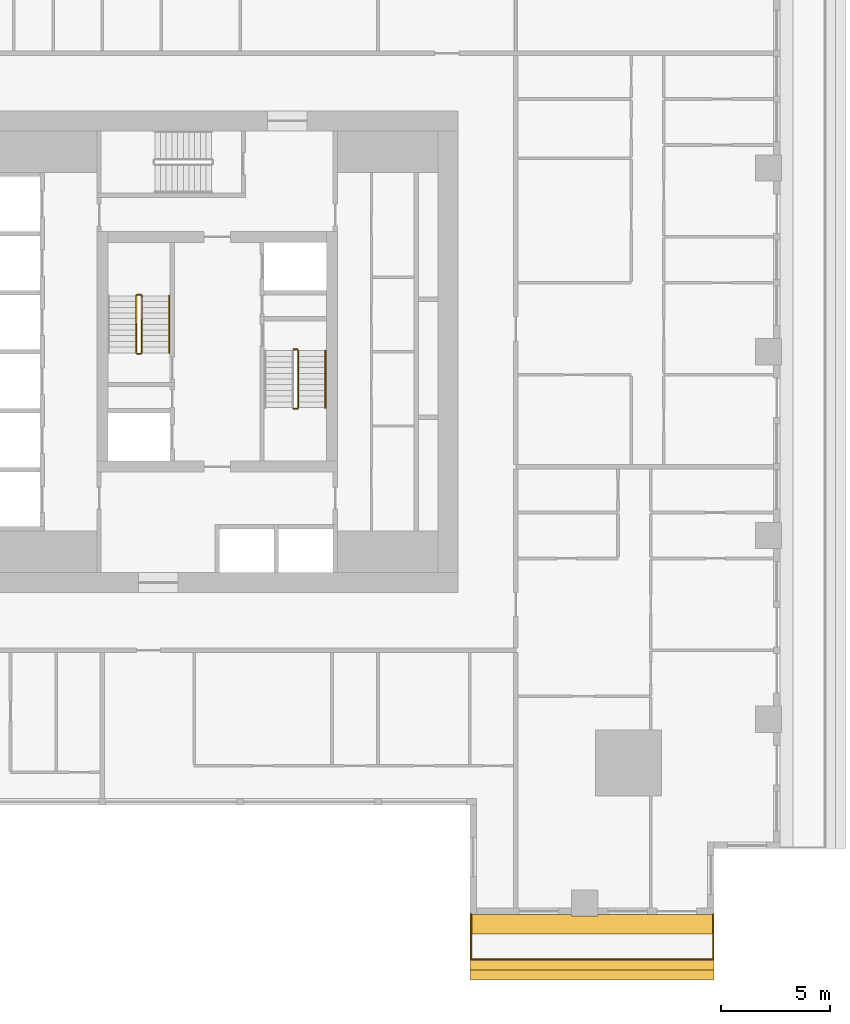
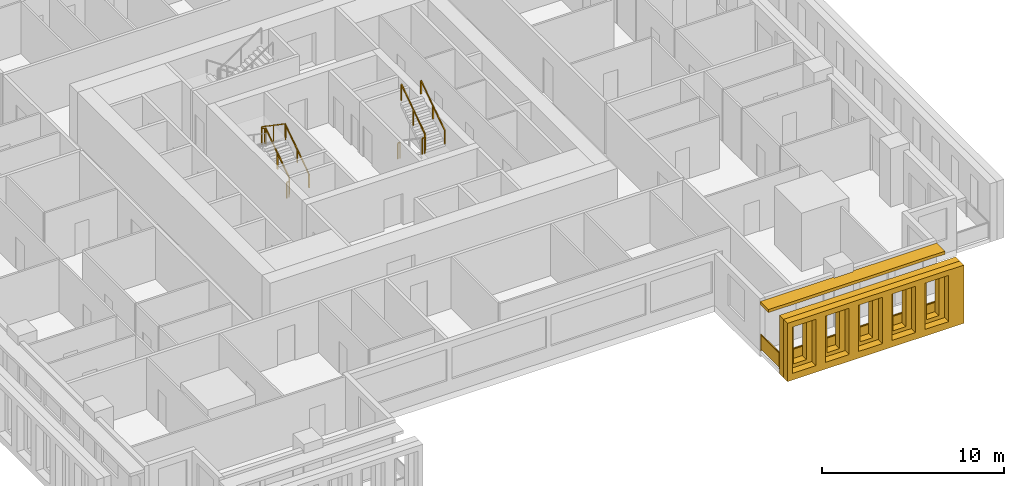
# One storey, part 11 of 14: 10 railings, 3 shading devices.
"""IFC4 building model written with IfcOpenShell, lengths in metres."""

from ifc_helpers import new_model, si_unit, direction, frame, origin, origin_2d, place, context, subcontext, project, spatial, polyline, rectangle, outline, extrude, material, layer, layer_set, type_object, element, save


model = new_model("IFC4")

# Units and contexts
model_context = context("Model", 3, precision=1e-05, world=origin(), true_north=direction((0.0, 1.0)))
body_context = subcontext(model_context, "Body", "Model", "MODEL_VIEW")
ifc_project = project(units=[si_unit("LENGTHUNIT", "METRE"), si_unit("AREAUNIT", "SQUARE_METRE"), si_unit("VOLUMEUNIT", "CUBIC_METRE"), si_unit("PLANEANGLEUNIT", "RADIAN"), si_unit("MASSUNIT", "GRAM", prefix="KILO")], contexts=[model_context])

# Site, building, storey
site_placement = place(None, origin())
site = spatial("IfcSite", under=ifc_project, at=site_placement, CompositionType="ELEMENT")
building_placement = place(site_placement, origin())
building = spatial("IfcBuilding", under=site, at=building_placement, Name="Khepri Terraces", CompositionType="ELEMENT")
storey_placement = place(building_placement, frame((0.0, 0.0, 62.10009765625)))
storey = spatial("IfcBuildingStorey", under=building, at=storey_placement, Name="L14", CompositionType="ELEMENT", Elevation=62.10009765625)

# Railings
ifc_material_1 = material(Name="Stainless steel grade 316", Category="steel")
railing_type_1 = type_object("IfcRailingType", Name="GRD-BAL-1100", PredefinedType="GUARDRAIL", material=ifc_material_1)
railing_1_placement = place(storey_placement, frame((11.60009765625, -25.719970703125, 0.0)))
element("IfcRailing", 1, at=railing_1_placement, inside=storey, type_object=railing_type_1, Name="Balcony guard L14 S", PredefinedType="GUARDRAIL", context=body_context, shape_type="SweptSolid", body=[
    extrude(rectangle(XDim=0.050048828125, YDim=0.06005859375, at=origin_2d()), frame((0.0, 0.0, 1.070068359375), z_axis=(0.0, -1.0, 0.0), x_axis=(1.0, 0.0, 0.0)), (0.0, 0.0, 1.0), 2.050048828125),
    extrude(rectangle(XDim=2.0, YDim=0.011962890625, at=origin_2d()), frame((0.0, -1.02490234375, 0.10009765625), z_axis=(0.0, 0.0, 1.0), x_axis=(0.0, -1.0, 0.0)), (0.0, 0.0, 1.0), 0.93994140625),
    extrude(rectangle(XDim=0.050048828125, YDim=0.06005859375, at=origin_2d()), frame((0.0, -2.050048828125, 1.070068359375), z_axis=(1.0, 0.0, 0.0), x_axis=(0.0, 1.0, 0.0)), (0.0, 0.0, 1.0), 11.06982421875),
    extrude(rectangle(XDim=2.163818359375, YDim=0.011962890625, at=origin_2d()), frame((1.10693359375, -2.050048828125, 0.10009765625), z_axis=(0.0, 0.0, 1.0), x_axis=(1.0, 0.0, 0.0)), (0.0, 0.0, 1.0), 0.93994140625),
    extrude(rectangle(XDim=2.163818359375, YDim=0.011962890625, at=origin_2d()), frame((3.321044921875, -2.050048828125, 0.10009765625), z_axis=(0.0, 0.0, 1.0), x_axis=(1.0, 0.0, 0.0)), (0.0, 0.0, 1.0), 0.93994140625),
    extrude(rectangle(XDim=2.163818359375, YDim=0.011962890625, at=origin_2d()), frame((5.534912109375, -2.050048828125, 0.10009765625), z_axis=(0.0, 0.0, 1.0), x_axis=(1.0, 0.0, 0.0)), (0.0, 0.0, 1.0), 0.93994140625),
    extrude(rectangle(XDim=2.163818359375, YDim=0.011962890625, at=origin_2d()), frame((7.748779296875, -2.050048828125, 0.10009765625), z_axis=(0.0, 0.0, 1.0), x_axis=(1.0, 0.0, 0.0)), (0.0, 0.0, 1.0), 0.93994140625),
    extrude(rectangle(XDim=2.163818359375, YDim=0.011962890625, at=origin_2d()), frame((9.962890625, -2.050048828125, 0.10009765625), z_axis=(0.0, 0.0, 1.0), x_axis=(1.0, 0.0, 0.0)), (0.0, 0.0, 1.0), 0.93994140625),
    extrude(rectangle(XDim=0.050048828125, YDim=0.06005859375, at=origin_2d()), frame((11.06982421875, -2.050048828125, 1.070068359375), z_axis=(0.0, 1.0, 0.0), x_axis=(-1.0, 0.0, 0.0)), (0.0, 0.0, 1.0), 2.050048828125),
    extrude(rectangle(XDim=2.0, YDim=0.011962890625, at=origin_2d()), frame((11.06982421875, -1.02490234375, 0.10009765625), z_axis=(0.0, 0.0, 1.0), x_axis=(0.0, 1.0, 0.0)), (0.0, 0.0, 1.0), 0.93994140625),
    extrude(rectangle(XDim=0.050048828125, YDim=0.050048828125, at=origin_2d()), origin(), (0.0, 0.0, 1.0), 1.0400390625),
    extrude(rectangle(XDim=0.050048828125, YDim=0.050048828125, at=origin_2d()), frame((0.0, -2.050048828125, 0.0)), (0.0, 0.0, 1.0), 1.0400390625),
    extrude(rectangle(XDim=0.050048828125, YDim=0.050048828125, at=origin_2d()), frame((2.2138671875, -2.050048828125, 0.0)), (0.0, 0.0, 1.0), 1.0400390625),
    extrude(rectangle(XDim=0.050048828125, YDim=0.050048828125, at=origin_2d()), frame((4.427978515625, -2.050048828125, 0.0)), (0.0, 0.0, 1.0), 1.0400390625),
    extrude(rectangle(XDim=0.050048828125, YDim=0.050048828125, at=origin_2d()), frame((6.641845703125, -2.050048828125, 0.0)), (0.0, 0.0, 1.0), 1.0400390625),
    extrude(rectangle(XDim=0.050048828125, YDim=0.050048828125, at=origin_2d()), frame((8.85595703125, -2.050048828125, 0.0)), (0.0, 0.0, 1.0), 1.0400390625),
    extrude(rectangle(XDim=0.050048828125, YDim=0.050048828125, at=origin_2d()), frame((11.06982421875, -2.050048828125, 0.0)), (0.0, 0.0, 1.0), 1.0400390625),
    extrude(rectangle(XDim=0.050048828125, YDim=0.050048828125, at=origin_2d()), frame((11.06982421875, 0.0, 0.0)), (0.0, 0.0, 1.0), 1.0400390625),
])
ifc_material_2 = material(Name="Stainless steel 316", Category="steel")
railing_type_2 = type_object("IfcRailingType", Name="RL-CORE-GUARD", PredefinedType="GUARDRAIL", material=ifc_material_2)
railing_2_placement = place(storey_placement, frame((-3.449951171875, -0.050048828125, 0.17724609375)))
element("IfcRailing", 2, at=railing_2_placement, inside=storey, type_object=railing_type_2, Name="L14 ST-1 stair guard 1", PredefinedType="GUARDRAIL", context=body_context, shape_type="SweptSolid", body=[
    extrude(rectangle(XDim=0.050048828125, YDim=0.06005859375, at=origin_2d()), frame((0.0, 0.0, 1.070068359375), z_axis=(0.0, 0.826240473404, 0.563317565952), x_axis=(-1.0, 0.0, 0.0)), (0.0, 0.0, 1.0), 3.14697265625),
    extrude(rectangle(XDim=0.050048828125, YDim=0.050048828125, at=origin_2d()), origin(), (0.0, 0.0, 1.0), 1.0400390625),
    extrude(rectangle(XDim=0.050048828125, YDim=0.050048828125, at=origin_2d()), frame((0.0, 1.300048828125, 0.88623046875)), (0.0, 0.0, 1.0), 1.0400390625),
    extrude(rectangle(XDim=0.050048828125, YDim=0.050048828125, at=origin_2d()), frame((0.0, 2.60009765625, 1.772705078125)), (0.0, 0.0, 1.0), 1.0400390625),
])
railing_3_placement = place(storey_placement, frame((-3.5, 2.60009765625, 1.949951171875)))
element("IfcRailing", 3, at=railing_3_placement, inside=storey, type_object=railing_type_2, Name="L14 ST-1 stair guard 2", PredefinedType="GUARDRAIL", context=body_context, shape_type="SweptSolid", body=[
    extrude(rectangle(XDim=0.050048828125, YDim=0.06005859375, at=origin_2d()), frame((0.0, 0.0, 1.070068359375), z_axis=(-1.0, 0.0, 0.0), x_axis=(0.0, -1.0, 0.0)), (0.0, 0.0, 1.0), 0.14990234375),
    extrude(rectangle(XDim=0.050048828125, YDim=0.050048828125, at=origin_2d()), origin(), (0.0, 0.0, 1.0), 1.0400390625),
    extrude(rectangle(XDim=0.050048828125, YDim=0.050048828125, at=origin_2d()), frame((-0.14990234375, 0.0, 0.0)), (0.0, 0.0, 1.0), 1.0400390625),
])
railing_4_placement = place(storey_placement, frame((-3.699951171875, 2.550048828125, 2.127197265625)))
element("IfcRailing", 4, at=railing_4_placement, inside=storey, type_object=railing_type_2, Name="L14 ST-1 stair guard 3", PredefinedType="GUARDRAIL", context=body_context, shape_type="SweptSolid", body=[
    extrude(rectangle(XDim=0.050048828125, YDim=0.06005859375, at=origin_2d()), frame((0.0, 0.0, 1.070068359375), z_axis=(0.0, -0.826240473404, 0.563317565952), x_axis=(1.0, 0.0, 0.0)), (0.0, 0.0, 1.0), 3.14697265625),
    extrude(rectangle(XDim=0.050048828125, YDim=0.050048828125, at=origin_2d()), origin(), (0.0, 0.0, 1.0), 1.0400390625),
    extrude(rectangle(XDim=0.050048828125, YDim=0.050048828125, at=origin_2d()), frame((0.0, -1.300048828125, 0.88623046875)), (0.0, 0.0, 1.0), 1.0400390625),
    extrude(rectangle(XDim=0.050048828125, YDim=0.050048828125, at=origin_2d()), frame((0.0, -2.60009765625, 1.772705078125)), (0.0, 0.0, 1.0), 1.0400390625),
])
railing_5_placement = place(storey_placement, frame((-3.5, -0.10009765625, 0.0)))
element("IfcRailing", 5, at=railing_5_placement, inside=storey, type_object=railing_type_2, Name="L14 ST-1 stair guard 4", PredefinedType="GUARDRAIL", context=body_context, shape_type="SweptSolid", body=[
    extrude(rectangle(XDim=0.050048828125, YDim=0.06005859375, at=origin_2d()), frame((0.0, 0.0, 1.070068359375), z_axis=(-1.0, 0.0, 0.0), x_axis=(0.0, -1.0, 0.0)), (0.0, 0.0, 1.0), 0.14990234375),
    extrude(rectangle(XDim=0.050048828125, YDim=0.050048828125, at=origin_2d()), origin(), (0.0, 0.0, 1.0), 1.0400390625),
    extrude(rectangle(XDim=0.050048828125, YDim=0.050048828125, at=origin_2d()), frame((-0.14990234375, 0.0, 0.0)), (0.0, 0.0, 1.0), 1.0400390625),
])
railing_6_placement = place(storey_placement, frame((3.5, -2.60009765625, 1.949951171875)))
element("IfcRailing", 6, at=railing_6_placement, inside=storey, type_object=railing_type_2, Name="L14 ST-2 stair guard 2", PredefinedType="GUARDRAIL", context=body_context, shape_type="SweptSolid", body=[
    extrude(rectangle(XDim=0.050048828125, YDim=0.06005859375, at=origin_2d()), frame((0.0, 0.0, 1.070068359375), z_axis=(1.0, 0.0, 0.0), x_axis=(0.0, 1.0, 0.0)), (0.0, 0.0, 1.0), 0.14990234375),
    extrude(rectangle(XDim=0.050048828125, YDim=0.050048828125, at=origin_2d()), origin(), (0.0, 0.0, 1.0), 1.0400390625),
    extrude(rectangle(XDim=0.050048828125, YDim=0.050048828125, at=origin_2d()), frame((0.14990234375, 0.0, 0.0)), (0.0, 0.0, 1.0), 1.0400390625),
])
railing_7_placement = place(storey_placement, frame((3.699951171875, -2.550048828125, 2.127197265625)))
element("IfcRailing", 7, at=railing_7_placement, inside=storey, type_object=railing_type_2, Name="L14 ST-2 stair guard 3", PredefinedType="GUARDRAIL", context=body_context, shape_type="SweptSolid", body=[
    extrude(rectangle(XDim=0.050048828125, YDim=0.06005859375, at=origin_2d()), frame((0.0, 0.0, 1.070068359375), z_axis=(0.0, 0.826240473404, 0.563317565952), x_axis=(-1.0, 0.0, 0.0)), (0.0, 0.0, 1.0), 3.14697265625),
    extrude(rectangle(XDim=0.050048828125, YDim=0.050048828125, at=origin_2d()), origin(), (0.0, 0.0, 1.0), 1.0400390625),
    extrude(rectangle(XDim=0.050048828125, YDim=0.050048828125, at=origin_2d()), frame((0.0, 1.300048828125, 0.88623046875)), (0.0, 0.0, 1.0), 1.0400390625),
    extrude(rectangle(XDim=0.050048828125, YDim=0.050048828125, at=origin_2d()), frame((0.0, 2.60009765625, 1.772705078125)), (0.0, 0.0, 1.0), 1.0400390625),
])
railing_8_placement = place(storey_placement, frame((3.5, 0.10009765625, 0.0)))
element("IfcRailing", 8, at=railing_8_placement, inside=storey, type_object=railing_type_2, Name="L14 ST-2 stair guard 4", PredefinedType="GUARDRAIL", context=body_context, shape_type="SweptSolid", body=[
    extrude(rectangle(XDim=0.050048828125, YDim=0.06005859375, at=origin_2d()), frame((0.0, 0.0, 1.070068359375), z_axis=(1.0, 0.0, 0.0), x_axis=(0.0, 1.0, 0.0)), (0.0, 0.0, 1.0), 0.14990234375),
    extrude(rectangle(XDim=0.050048828125, YDim=0.050048828125, at=origin_2d()), origin(), (0.0, 0.0, 1.0), 1.0400390625),
    extrude(rectangle(XDim=0.050048828125, YDim=0.050048828125, at=origin_2d()), frame((0.14990234375, 0.0, 0.0)), (0.0, 0.0, 1.0), 1.0400390625),
])
railing_type_3 = type_object("IfcRailingType", Name="RL-CORE-HANDRAIL", PredefinedType="HANDRAIL", material=ifc_material_2)
for number, where, name in (
    (9, (-2.199951171875, -0.050048828125, 0.17724609375), "L14 ST-1 stair handrail 1"),
    (10, (4.949951171875, -2.550048828125, 2.127197265625), "L14 ST-2 stair handrail 2"),
):
    element("IfcRailing", number, at=place(storey_placement, frame(where)), inside=storey, type_object=railing_type_3, Name=name, PredefinedType="HANDRAIL", context=body_context, shape_type="SweptSolid", body=[
        extrude(rectangle(XDim=0.050048828125, YDim=0.050048828125, at=origin_2d()), frame((0.0, 0.0, 0.875), z_axis=(0.0, 0.826240473404, 0.563317565952), x_axis=(-1.0, 0.0, 0.0)), (0.0, 0.0, 1.0), 3.14697265625),
        extrude(rectangle(XDim=0.050048828125, YDim=0.050048828125, at=origin_2d()), origin(), (0.0, 0.0, 1.0), 0.849853515625),
        extrude(rectangle(XDim=0.050048828125, YDim=0.050048828125, at=origin_2d()), frame((0.0, 1.300048828125, 0.88623046875)), (0.0, 0.0, 1.0), 0.849853515625),
        extrude(rectangle(XDim=0.050048828125, YDim=0.050048828125, at=origin_2d()), frame((0.0, 2.60009765625, 1.772705078125)), (0.0, 0.0, 1.0), 0.849853515625),
    ])

# Shading devices
ifc_material_3 = material(Name="Precast concrete C50/60 warm stone", Category="masonry")
shading_device_type_1 = type_object("IfcShadingDeviceType", Name="SCR-CELL-INNER-450", PredefinedType="USERDEFINED", material=ifc_material_3)
shading_device_1_placement = place(storey_placement, frame((11.550048828125, -27.820068359375, -0.25), z_axis=(0.0, -1.0, 0.0), x_axis=(1.0, 0.0, 0.0)))
element("IfcShadingDevice", 11, at=shading_device_1_placement, inside=storey, type_object=shading_device_type_1, Name="Cell screen L14 S in", ObjectType="SCREEN", PredefinedType="USERDEFINED", context=body_context, shape_type="SweptSolid", body=[
    extrude(outline(polyline([(0.0, 0.0), (11.169921875, 0.0), (11.169921875, 3.89990234375), (0.0, 3.89990234375), (0.0, 0.0)]), holes=[polyline([(0.6484375, 0.699951171875), (1.45166015625, 0.699951171875), (1.45166015625, 3.300048828125), (0.6484375, 3.300048828125), (0.6484375, 0.699951171875)]), polyline([(2.748291015625, 0.699951171875), (3.551513671875, 0.699951171875), (3.551513671875, 3.300048828125), (2.748291015625, 3.300048828125), (2.748291015625, 0.699951171875)]), polyline([(4.848388671875, 0.699951171875), (5.651611328125, 0.699951171875), (5.651611328125, 3.300048828125), (4.848388671875, 3.300048828125), (4.848388671875, 0.699951171875)]), polyline([(6.948486328125, 0.699951171875), (7.751708984375, 0.699951171875), (7.751708984375, 3.300048828125), (6.948486328125, 3.300048828125), (6.948486328125, 0.699951171875)]), polyline([(9.04833984375, 0.699951171875), (9.8515625, 0.699951171875), (9.8515625, 3.300048828125), (9.04833984375, 3.300048828125), (9.04833984375, 0.699951171875)])]), origin(), (0.0, 0.0, 1.0), 0.449951171875),
])
shading_device_type_2 = type_object("IfcShadingDeviceType", Name="SCR-CELL-OUTER-450", PredefinedType="USERDEFINED", material=ifc_material_3)
shading_device_2_placement = place(storey_placement, frame((11.550048828125, -28.27001953125, -0.25), z_axis=(0.0, -1.0, 0.0), x_axis=(1.0, 0.0, 0.0)))
element("IfcShadingDevice", 12, at=shading_device_2_placement, inside=storey, type_object=shading_device_type_2, Name="Cell screen L14 S out", ObjectType="SCREEN", PredefinedType="USERDEFINED", context=body_context, shape_type="SweptSolid", body=[
    extrude(outline(polyline([(0.0, 0.0), (11.169921875, 0.0), (11.169921875, 3.89990234375), (0.0, 3.89990234375), (0.0, 0.0)]), holes=[polyline([(0.29833984375, 0.449951171875), (1.801513671875, 0.449951171875), (1.801513671875, 3.550048828125), (0.29833984375, 3.550048828125), (0.29833984375, 0.449951171875)]), polyline([(2.3984375, 0.449951171875), (3.901611328125, 0.449951171875), (3.901611328125, 3.550048828125), (2.3984375, 3.550048828125), (2.3984375, 0.449951171875)]), polyline([(4.498291015625, 0.449951171875), (6.001708984375, 0.449951171875), (6.001708984375, 3.550048828125), (4.498291015625, 3.550048828125), (4.498291015625, 0.449951171875)]), polyline([(6.598388671875, 0.449951171875), (8.1015625, 0.449951171875), (8.1015625, 3.550048828125), (6.598388671875, 3.550048828125), (6.598388671875, 0.449951171875)]), polyline([(8.698486328125, 0.449951171875), (10.20166015625, 0.449951171875), (10.20166015625, 3.550048828125), (8.698486328125, 3.550048828125), (8.698486328125, 0.449951171875)])]), origin(), (0.0, 0.0, 1.0), 0.449951171875),
])
ifc_layer = layer(ifc_material_3, 0.199951171875, Name="Precast concrete C50/60 warm stone", Category="masonry")
ifc_layer_set = layer_set([ifc_layer], Name="Precast concrete C50/60 warm stone")
shading_device_type_3 = type_object("IfcShadingDeviceType", Name="SSH-BAND-STONE-200", PredefinedType="USERDEFINED", material=ifc_layer_set)
shading_device_3_placement = place(storey_placement, frame((0.0, 0.0, 3.099853515625)))
element("IfcShadingDevice", 13, at=shading_device_3_placement, inside=storey, type_object=shading_device_type_3, Name="Sunshade band L14 S", ObjectType="SUNSHADE", PredefinedType="USERDEFINED", context=body_context, shape_type="SweptSolid", body=[
    extrude(outline(polyline([(16.199951171875, -25.719970703125), (11.550048828125, -25.719970703125), (11.550048828125, -26.6201171875), (22.719970703125, -26.6201171875), (22.719970703125, -25.719970703125), (17.39990234375, -25.719970703125), (17.39990234375, -25.800048828125), (16.199951171875, -25.800048828125), (16.199951171875, -25.719970703125)])), origin(), (0.0, 0.0, 1.0), 0.199951171875),
])

save(model, "model.ifc")
